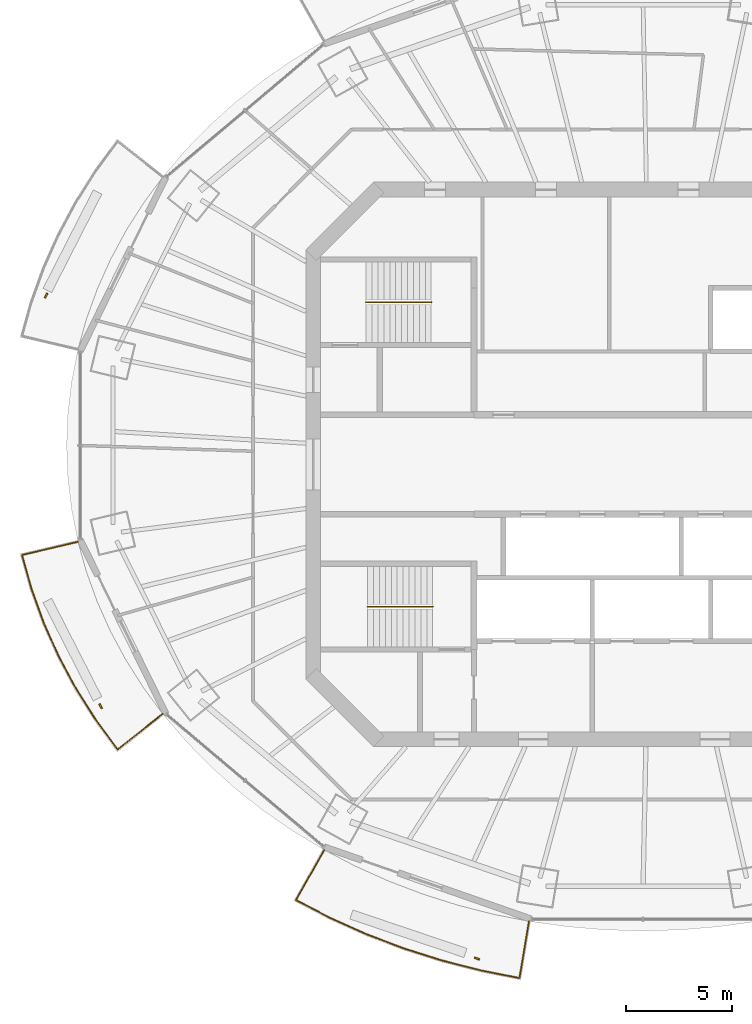
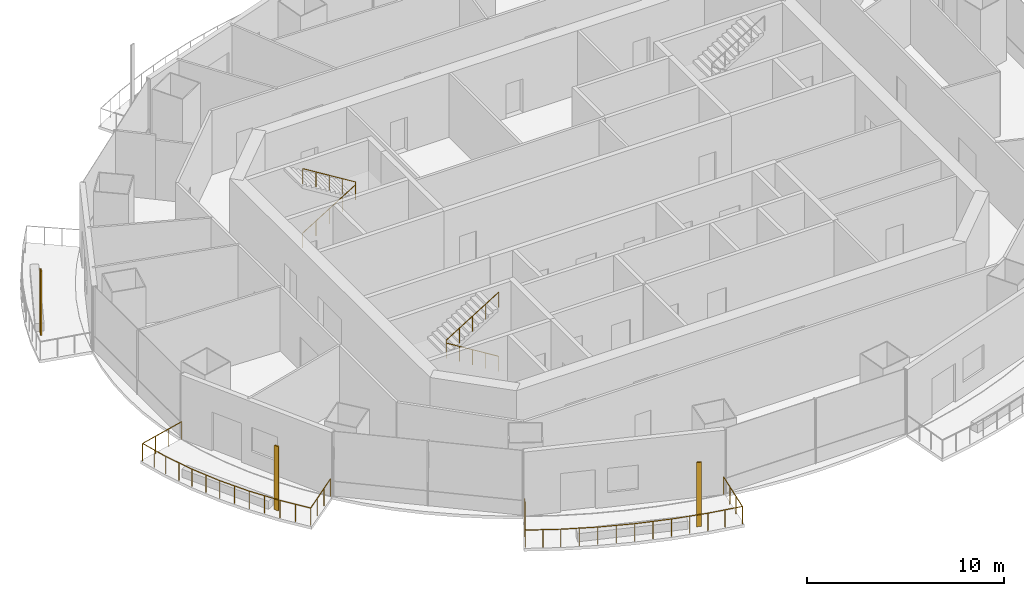
# One storey, part 12 of 16: 4 railings, 3 shading devices.
"""IFC4 building model written with IfcOpenShell, lengths in metres."""

from ifc_helpers import new_model, si_unit, direction, frame, origin, origin_2d, place, context, subcontext, project, spatial, rectangle, circle, extrude, material, material_profile, profile_set, type_object, element, save


model = new_model("IFC4")

# Units and contexts
model_context = context("Model", 3, precision=1e-05, world=origin(), true_north=direction((0.0, 1.0)))
body_context = subcontext(model_context, "Body", "Model", "MODEL_VIEW")
ifc_project = project(units=[si_unit("LENGTHUNIT", "METRE"), si_unit("AREAUNIT", "SQUARE_METRE"), si_unit("VOLUMEUNIT", "CUBIC_METRE"), si_unit("PLANEANGLEUNIT", "RADIAN"), si_unit("MASSUNIT", "GRAM", prefix="KILO")], contexts=[model_context])

# Site, building, storey
site_placement = place(None, origin())
site = spatial("IfcSite", under=ifc_project, at=site_placement, CompositionType="ELEMENT")
building_placement = place(site_placement, origin())
building = spatial("IfcBuilding", under=site, at=building_placement, Name="Marenthal Gate Tower", CompositionType="ELEMENT")
storey_placement = place(building_placement, frame((0.0, 0.0, 342.60009765625)))
storey = spatial("IfcBuildingStorey", under=building, at=storey_placement, Name="L77", CompositionType="ELEMENT", Elevation=342.60009765625)

# Railings
ifc_material_1 = material(Name="Stainless steel", Category="steel")
railing_type_1 = type_object("IfcRailingType", Name="Balcony guard 1100", PredefinedType="GUARDRAIL", material=ifc_material_1)
railing_1_placement = place(storey_placement, frame((-23.123046875, -11.79443359375, 0.0)))
element("IfcRailing", 1, at=railing_1_placement, inside=storey, type_object=railing_type_1, Name="Balcony guard L77 bay 9", PredefinedType="GUARDRAIL", context=body_context, shape_type="SweptSolid", body=[
    extrude(circle(Radius=0.02392578125, at=origin_2d()), frame((0.0, 0.0, 1.076171875), z_axis=(-0.783613159988, -0.621074684128, -0.014719111011), x_axis=(0.621141973669, -0.783698059553, 0.0)), (0.0, 0.0, 1.0), 2.72021484375),
    extrude(circle(Radius=0.02392578125, at=origin_2d()), frame((-2.131591796875, -1.689453125, 1.0361328125), z_axis=(-0.592673479354, 0.805442826569, 0.0), x_axis=(-0.805442826569, -0.592673479354, 0.0)), (0.0, 0.0, 1.0), 1.69580078125),
    extrude(circle(Radius=0.02392578125, at=origin_2d()), frame((-3.13671875, -0.323486328125, 1.0361328125), z_axis=(-0.53589847601, 0.844282431068, 0.0), x_axis=(-0.844282431068, -0.53589847601, 0.0)), (0.0, 0.0, 1.0), 1.76318359375),
    extrude(circle(Radius=0.02392578125, at=origin_2d()), frame((-4.08154296875, 1.1650390625, 1.0361328125), z_axis=(-0.473717470746, 0.880676874858, 0.0), x_axis=(-0.880676874858, -0.473717470746, 0.0)), (0.0, 0.0, 1.0), 1.751708984375),
    extrude(circle(Radius=0.02392578125, at=origin_2d()), frame((-4.911376953125, 2.707763671875, 1.0361328125), z_axis=(-0.407984820198, 0.912988711041, 0.0), x_axis=(-0.912988711041, -0.407984820198, 0.0)), (0.0, 0.0, 1.0), 1.741455078125),
    extrude(circle(Radius=0.02392578125, at=origin_2d()), frame((-5.621826171875, 4.297607421875, 1.0361328125), z_axis=(-0.338924060667, 0.940813733478, 0.0), x_axis=(-0.940813733478, -0.338924060667, 0.0)), (0.0, 0.0, 1.0), 1.732421875),
    extrude(circle(Radius=0.02392578125, at=origin_2d()), frame((-6.208984375, 5.927490234375, 1.0361328125), z_axis=(-0.268600452735, 0.963251678841, 0.0), x_axis=(-0.963251678841, -0.268600452735, 0.0)), (0.0, 0.0, 1.0), 1.645263671875),
    extrude(circle(Radius=0.02392578125, at=origin_2d()), frame((-6.65087890625, 7.51220703125, 1.0361328125), z_axis=(0.97315730439, 0.229669790827, 0.014718970573), x_axis=(-0.229694673631, 0.973262737859, 0.0)), (0.0, 0.0, 1.0), 2.72021484375),
    extrude(circle(Radius=0.02099609375, at=origin_2d()), origin(), (0.0, 0.0, 1.0), 1.052001953125),
    extrude(circle(Radius=0.02099609375, at=origin_2d()), frame((-0.71044921875, -0.563232421875, -0.013427734375)), (0.0, 0.0, 1.0), 1.052001953125),
    extrude(circle(Radius=0.02099609375, at=origin_2d()), frame((-1.421142578125, -1.126220703125, -0.026611328125)), (0.0, 0.0, 1.0), 1.052001953125),
    extrude(circle(Radius=0.02099609375, at=origin_2d()), frame((-2.131591796875, -1.689453125, -0.0400390625)), (0.0, 0.0, 1.0), 1.052001953125),
    extrude(circle(Radius=0.02099609375, at=origin_2d()), frame((-2.63427734375, -1.00634765625, -0.0400390625)), (0.0, 0.0, 1.0), 1.052001953125),
    extrude(circle(Radius=0.02099609375, at=origin_2d()), frame((-3.13671875, -0.323486328125, -0.0400390625)), (0.0, 0.0, 1.0), 1.052001953125),
    extrude(circle(Radius=0.02099609375, at=origin_2d()), frame((-3.609130859375, 0.4208984375, -0.0400390625)), (0.0, 0.0, 1.0), 1.052001953125),
    extrude(circle(Radius=0.02099609375, at=origin_2d()), frame((-4.08154296875, 1.1650390625, -0.0400390625)), (0.0, 0.0, 1.0), 1.052001953125),
    extrude(circle(Radius=0.02099609375, at=origin_2d()), frame((-4.49658203125, 1.9365234375, -0.0400390625)), (0.0, 0.0, 1.0), 1.052001953125),
    extrude(circle(Radius=0.02099609375, at=origin_2d()), frame((-4.911376953125, 2.707763671875, -0.0400390625)), (0.0, 0.0, 1.0), 1.052001953125),
    extrude(circle(Radius=0.02099609375, at=origin_2d()), frame((-5.2666015625, 3.502685546875, -0.0400390625)), (0.0, 0.0, 1.0), 1.052001953125),
    extrude(circle(Radius=0.02099609375, at=origin_2d()), frame((-5.621826171875, 4.297607421875, -0.0400390625)), (0.0, 0.0, 1.0), 1.052001953125),
    extrude(circle(Radius=0.02099609375, at=origin_2d()), frame((-5.91552734375, 5.112548828125, -0.0400390625)), (0.0, 0.0, 1.0), 1.052001953125),
    extrude(circle(Radius=0.02099609375, at=origin_2d()), frame((-6.208984375, 5.927490234375, -0.0400390625)), (0.0, 0.0, 1.0), 1.052001953125),
    extrude(circle(Radius=0.02099609375, at=origin_2d()), frame((-6.429931640625, 6.7197265625, -0.0400390625)), (0.0, 0.0, 1.0), 1.052001953125),
    extrude(circle(Radius=0.02099609375, at=origin_2d()), frame((-6.65087890625, 7.51220703125, -0.0400390625)), (0.0, 0.0, 1.0), 1.052001953125),
    extrude(circle(Radius=0.02099609375, at=origin_2d()), frame((-5.7685546875, 7.720458984375, -0.026611328125)), (0.0, 0.0, 1.0), 1.052001953125),
    extrude(circle(Radius=0.02099609375, at=origin_2d()), frame((-4.885986328125, 7.9287109375, -0.013427734375)), (0.0, 0.0, 1.0), 1.052001953125),
    extrude(circle(Radius=0.02099609375, at=origin_2d()), frame((-4.003662109375, 8.136962890625, 0.0)), (0.0, 0.0, 1.0), 1.052001953125),
])
railing_2_placement = place(storey_placement, frame((-5.798828125, -21.607666015625, 0.0)))
element("IfcRailing", 2, at=railing_2_placement, inside=storey, type_object=railing_type_1, Name="Balcony guard L77 bay 11", PredefinedType="GUARDRAIL", context=body_context, shape_type="SweptSolid", body=[
    extrude(circle(Radius=0.02392578125, at=origin_2d()), frame((0.0, 0.0, 1.076171875), z_axis=(-0.165327157968, -0.986128927578, -0.014719681817), x_axis=(0.986235776742, -0.165345071517, 0.0)), (0.0, 0.0, 1.0), 2.72021484375),
    extrude(circle(Radius=0.02392578125, at=origin_2d()), frame((-0.44970703125, -2.682373046875, 1.0361328125), z_axis=(-0.9810465399, 0.193772254337, 0.0), x_axis=(-0.193772254337, -0.9810465399, 0.0)), (0.0, 0.0, 1.0), 1.84326171875),
    extrude(circle(Radius=0.02392578125, at=origin_2d()), frame((-2.258056640625, -2.3251953125, 1.0361328125), z_axis=(-0.968878064997, 0.247538472096, 0.0), x_axis=(-0.247538472096, -0.968878064997, 0.0)), (0.0, 0.0, 1.0), 1.916259765625),
    extrude(circle(Radius=0.02392578125, at=origin_2d()), frame((-4.11474609375, -1.850830078125, 1.0361328125), z_axis=(-0.953251321023, 0.302178620963, 0.0), x_axis=(-0.302178620963, -0.953251321023, 0.0)), (0.0, 0.0, 1.0), 1.907470703125),
    extrude(circle(Radius=0.02392578125, at=origin_2d()), frame((-5.93310546875, -1.2744140625, 1.0361328125), z_axis=(-0.934293977025, 0.356503526623, 0.0), x_axis=(-0.356503526623, -0.934293977025, 0.0)), (0.0, 0.0, 1.0), 1.897705078125),
    extrude(circle(Radius=0.02392578125, at=origin_2d()), frame((-7.7060546875, -0.597900390625, 1.0361328125), z_axis=(-0.911863363512, 0.410493856573, 0.0), x_axis=(-0.410493856573, -0.911863363512, 0.0)), (0.0, 0.0, 1.0), 1.885986328125),
    extrude(circle(Radius=0.02392578125, at=origin_2d()), frame((-9.42578125, 0.17626953125, 1.0361328125), z_axis=(-0.886507182027, 0.462714832498, 0.0), x_axis=(-0.462714832498, -0.886507182027, 0.0)), (0.0, 0.0, 1.0), 1.7939453125),
    extrude(circle(Radius=0.02392578125, at=origin_2d()), frame((-11.01611328125, 1.00634765625, 1.0361328125), z_axis=(0.490740668141, 0.871181358019, 0.014718630134), x_axis=(-0.871275738879, 0.490793833336, 0.0)), (0.0, 0.0, 1.0), 2.72021484375),
    extrude(circle(Radius=0.02099609375, at=origin_2d()), origin(), (0.0, 0.0, 1.0), 1.052001953125),
    extrude(circle(Radius=0.02099609375, at=origin_2d()), frame((-0.14990234375, -0.89404296875, -0.013427734375)), (0.0, 0.0, 1.0), 1.052001953125),
    extrude(circle(Radius=0.02099609375, at=origin_2d()), frame((-0.2998046875, -1.788330078125, -0.026611328125)), (0.0, 0.0, 1.0), 1.052001953125),
    extrude(circle(Radius=0.02099609375, at=origin_2d()), frame((-0.44970703125, -2.682373046875, -0.0400390625)), (0.0, 0.0, 1.0), 1.052001953125),
    extrude(circle(Radius=0.02099609375, at=origin_2d()), frame((-1.35400390625, -2.50390625, -0.0400390625)), (0.0, 0.0, 1.0), 1.052001953125),
    extrude(circle(Radius=0.02099609375, at=origin_2d()), frame((-2.258056640625, -2.3251953125, -0.0400390625)), (0.0, 0.0, 1.0), 1.052001953125),
    extrude(circle(Radius=0.02099609375, at=origin_2d()), frame((-3.1865234375, -2.087890625, -0.0400390625)), (0.0, 0.0, 1.0), 1.052001953125),
    extrude(circle(Radius=0.02099609375, at=origin_2d()), frame((-4.11474609375, -1.850830078125, -0.0400390625)), (0.0, 0.0, 1.0), 1.052001953125),
    extrude(circle(Radius=0.02099609375, at=origin_2d()), frame((-5.02392578125, -1.5625, -0.0400390625)), (0.0, 0.0, 1.0), 1.052001953125),
    extrude(circle(Radius=0.02099609375, at=origin_2d()), frame((-5.93310546875, -1.2744140625, -0.0400390625)), (0.0, 0.0, 1.0), 1.052001953125),
    extrude(circle(Radius=0.02099609375, at=origin_2d()), frame((-6.819580078125, -0.93603515625, -0.0400390625)), (0.0, 0.0, 1.0), 1.052001953125),
    extrude(circle(Radius=0.02099609375, at=origin_2d()), frame((-7.7060546875, -0.597900390625, -0.0400390625)), (0.0, 0.0, 1.0), 1.052001953125),
    extrude(circle(Radius=0.02099609375, at=origin_2d()), frame((-8.56591796875, -0.2109375, -0.0400390625)), (0.0, 0.0, 1.0), 1.052001953125),
    extrude(circle(Radius=0.02099609375, at=origin_2d()), frame((-9.42578125, 0.17626953125, -0.0400390625)), (0.0, 0.0, 1.0), 1.052001953125),
    extrude(circle(Radius=0.02099609375, at=origin_2d()), frame((-10.220947265625, 0.59130859375, -0.0400390625)), (0.0, 0.0, 1.0), 1.052001953125),
    extrude(circle(Radius=0.02099609375, at=origin_2d()), frame((-11.01611328125, 1.00634765625, -0.0400390625)), (0.0, 0.0, 1.0), 1.052001953125),
    extrude(circle(Radius=0.02099609375, at=origin_2d()), frame((-10.571044921875, 1.79638671875, -0.026611328125)), (0.0, 0.0, 1.0), 1.052001953125),
    extrude(circle(Radius=0.02099609375, at=origin_2d()), frame((-10.126220703125, 2.586181640625, -0.013427734375)), (0.0, 0.0, 1.0), 1.052001953125),
    extrude(circle(Radius=0.02099609375, at=origin_2d()), frame((-9.68115234375, 3.376220703125, 0.0)), (0.0, 0.0, 1.0), 1.052001953125),
])
ifc_material_2 = material(Name="Stainless steel", Category="steel")
railing_type_2 = type_object("IfcRailingType", Name="Stair handrail", PredefinedType="HANDRAIL", material=ifc_material_2)
railing_3_placement = place(storey_placement, frame((-13.5, 7.675048828125, 0.1728515625)))
element("IfcRailing", 3, at=railing_3_placement, inside=storey, type_object=railing_type_2, Name="Handrail ST1", PredefinedType="HANDRAIL", context=body_context, shape_type="SweptSolid", body=[
    extrude(circle(Radius=0.0224609375, at=origin_2d()), frame((0.0, 0.0, 0.927490234375), z_axis=(0.850835241893, 0.0, 0.525432575268), x_axis=(0.0, 1.0, 0.0)), (0.0, 0.0, 1.0), 3.6201171875),
    extrude(circle(Radius=0.0224609375, at=origin_2d()), frame((3.080078125, 0.0, 2.82958984375), z_axis=(0.0, 0.0, 1.0), x_axis=(1.0, 0.0, 0.0)), (0.0, 0.0, 1.0), 0.1728515625),
    extrude(circle(Radius=0.0224609375, at=origin_2d()), frame((3.080078125, 0.0, 3.00244140625), z_axis=(-0.850835241893, 0.0, 0.525432575268), x_axis=(0.0, -1.0, 0.0)), (0.0, 0.0, 1.0), 3.6201171875),
    extrude(circle(Radius=0.02001953125, at=origin_2d()), origin(), (0.0, 0.0, 1.0), 0.905029296875),
    extrude(circle(Radius=0.02001953125, at=origin_2d()), frame((0.77001953125, 0.0, 0.4755859375)), (0.0, 0.0, 1.0), 0.905029296875),
    extrude(circle(Radius=0.02001953125, at=origin_2d()), frame((1.5400390625, 0.0, 0.951171875)), (0.0, 0.0, 1.0), 0.905029296875),
    extrude(circle(Radius=0.02001953125, at=origin_2d()), frame((2.31005859375, 0.0, 1.426513671875)), (0.0, 0.0, 1.0), 0.905029296875),
    extrude(circle(Radius=0.02001953125, at=origin_2d()), frame((3.080078125, 0.0, 1.902099609375)), (0.0, 0.0, 1.0), 0.905029296875),
    extrude(circle(Radius=0.02001953125, at=origin_2d()), frame((3.080078125, 0.0, 2.074951171875)), (0.0, 0.0, 1.0), 0.905029296875),
    extrude(circle(Radius=0.02001953125, at=origin_2d()), frame((2.31005859375, 0.0, 2.550537109375)), (0.0, 0.0, 1.0), 0.905029296875),
    extrude(circle(Radius=0.02001953125, at=origin_2d()), frame((1.5400390625, 0.0, 3.02587890625)), (0.0, 0.0, 1.0), 0.905029296875),
    extrude(circle(Radius=0.02001953125, at=origin_2d()), frame((0.77001953125, 0.0, 3.50146484375)), (0.0, 0.0, 1.0), 0.905029296875),
    extrude(circle(Radius=0.02001953125, at=origin_2d()), frame((0.0, 0.0, 3.97705078125)), (0.0, 0.0, 1.0), 0.905029296875),
])
railing_4_placement = place(storey_placement, frame((-10.35009765625, -6.72509765625, 0.1728515625)))
element("IfcRailing", 4, at=railing_4_placement, inside=storey, type_object=railing_type_2, Name="Handrail ST2", PredefinedType="HANDRAIL", context=body_context, shape_type="SweptSolid", body=[
    extrude(circle(Radius=0.0224609375, at=origin_2d()), frame((0.0, 0.0, 0.927490234375), z_axis=(-0.850816621229, 0.0, 0.525462726595), x_axis=(0.0, -1.0, 0.0)), (0.0, 0.0, 1.0), 3.619873046875),
    extrude(circle(Radius=0.0224609375, at=origin_2d()), frame((-3.079833984375, 0.0, 2.82958984375), z_axis=(0.0, 0.0, 1.0), x_axis=(1.0, 0.0, 0.0)), (0.0, 0.0, 1.0), 0.1728515625),
    extrude(circle(Radius=0.0224609375, at=origin_2d()), frame((-3.079833984375, 0.0, 3.00244140625), z_axis=(0.850816621229, 0.0, 0.525462726595), x_axis=(0.0, 1.0, 0.0)), (0.0, 0.0, 1.0), 3.619873046875),
    extrude(circle(Radius=0.02001953125, at=origin_2d()), origin(), (0.0, 0.0, 1.0), 0.905029296875),
    extrude(circle(Radius=0.02001953125, at=origin_2d()), frame((-0.77001953125, 0.0, 0.4755859375)), (0.0, 0.0, 1.0), 0.905029296875),
    extrude(circle(Radius=0.02001953125, at=origin_2d()), frame((-1.5400390625, 0.0, 0.951171875)), (0.0, 0.0, 1.0), 0.905029296875),
    extrude(circle(Radius=0.02001953125, at=origin_2d()), frame((-2.309814453125, 0.0, 1.426513671875)), (0.0, 0.0, 1.0), 0.905029296875),
    extrude(circle(Radius=0.02001953125, at=origin_2d()), frame((-3.079833984375, 0.0, 1.902099609375)), (0.0, 0.0, 1.0), 0.905029296875),
    extrude(circle(Radius=0.02001953125, at=origin_2d()), frame((-3.079833984375, 0.0, 2.074951171875)), (0.0, 0.0, 1.0), 0.905029296875),
    extrude(circle(Radius=0.02001953125, at=origin_2d()), frame((-2.309814453125, 0.0, 2.550537109375)), (0.0, 0.0, 1.0), 0.905029296875),
    extrude(circle(Radius=0.02001953125, at=origin_2d()), frame((-1.5400390625, 0.0, 3.02587890625)), (0.0, 0.0, 1.0), 0.905029296875),
    extrude(circle(Radius=0.02001953125, at=origin_2d()), frame((-0.77001953125, 0.0, 3.50146484375)), (0.0, 0.0, 1.0), 0.905029296875),
    extrude(circle(Radius=0.02001953125, at=origin_2d()), frame((0.0, 0.0, 3.97705078125)), (0.0, 0.0, 1.0), 0.905029296875),
])

# Shading devices
ifc_material_3 = material(Name="Terracotta", Category="masonry")
ifc_material_profile = material_profile(ifc_material_3, rectangle(XDim=0.25, YDim=0.080078125, at=origin_2d()), Name="Terracotta baguette 250x80")
ifc_profile_set = profile_set([ifc_material_profile], Name="Terracotta")
shading_device_type = type_object("IfcShadingDeviceType", Name="Terracotta BAGUETTE SCREEN 250x80", PredefinedType="USERDEFINED", material=ifc_profile_set)
for number, where, z_axis, x_axis, name in (
    (5, (-28.636962890625, 7.98876953125, -0.0400390625), (0.0, 0.0, 1.0), (-0.441297921184, -0.897360654787, 0.0), "Terracotta BAGUETTE L77 bay 7R"),
    (6, (-26.05810546875, -11.432373046875, -0.0400390625), (0.0, 0.0, 1.0), (0.441297921184, -0.897360654787, 0.0), "Terracotta BAGUETTE L77 bay 9R"),
    (7, (-8.26123046875, -23.36767578125, -0.0400390625), (0.0, 0.0, 1.0), (0.944185799872, -0.329413380602, 0.0), "Terracotta BAGUETTE L77 bay 11R"),
):
    element("IfcShadingDevice", number, at=place(storey_placement, frame(where, z_axis=z_axis, x_axis=x_axis)), inside=storey, type_object=shading_device_type, Name=name, ObjectType="BAGUETTE SCREEN", PredefinedType="USERDEFINED", context=body_context, shape_type="SweptSolid", body=[
        extrude(rectangle(XDim=0.25, YDim=0.080078125, at=origin_2d()), origin(), (0.0, 0.0, 1.0), 3.969970703125),
    ])

save(model, "model.ifc")
